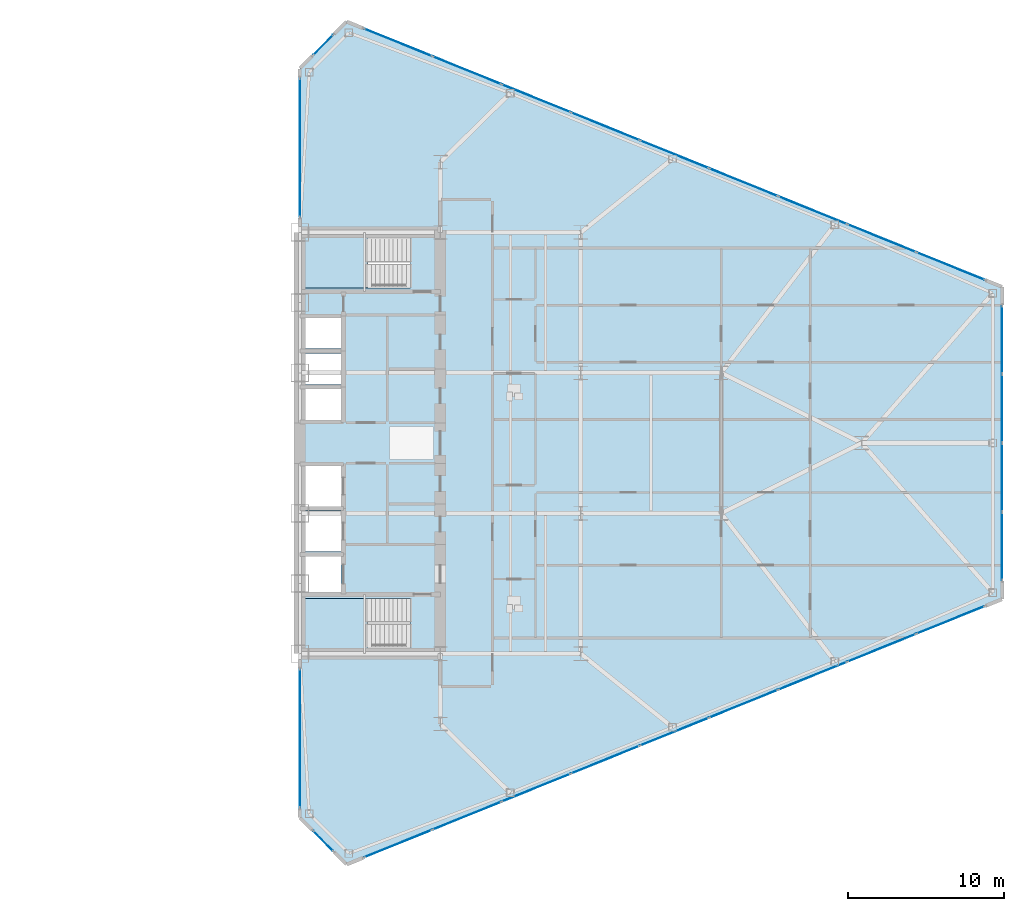
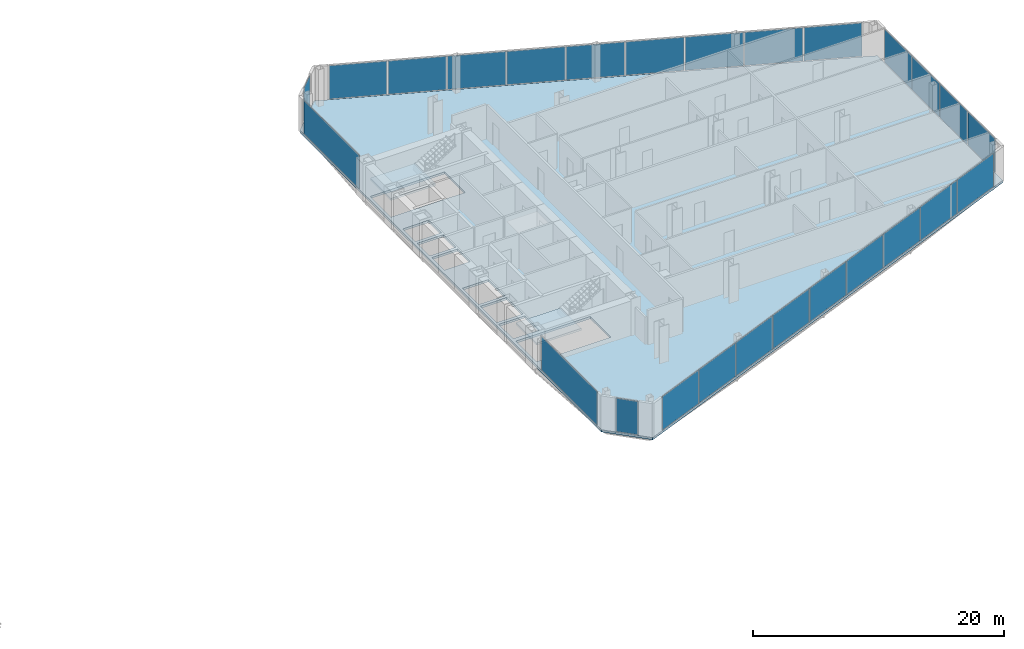
# One storey, part 16 of 25: 26 plates, 3 slabs, 9 elements without a shape of their own.
"""IFC4 building model written with IfcOpenShell, lengths in metres."""

from ifc_helpers import new_model, si_unit, direction, frame, origin, origin_2d, place, context, subcontext, project, spatial, polyline, rectangle, outline, extrude, source, transform, mapped, material, layer, layer_set, type_object, type_shapes, element, aggregate, save


model = new_model("IFC4")

# Units and contexts
model_context = context("Model", 3, precision=1e-05, world=origin(), true_north=direction((0.0, 1.0)))
body_context = subcontext(model_context, "Body", "Model", "MODEL_VIEW")
ifc_project = project(units=[si_unit("LENGTHUNIT", "METRE"), si_unit("AREAUNIT", "SQUARE_METRE"), si_unit("VOLUMEUNIT", "CUBIC_METRE"), si_unit("PLANEANGLEUNIT", "RADIAN"), si_unit("MASSUNIT", "GRAM", prefix="KILO")], contexts=[model_context])

# Site, building, storey
site_placement = place(None, origin())
site = spatial("IfcSite", under=ifc_project, at=site_placement, CompositionType="ELEMENT")
building_placement = place(site_placement, origin())
building = spatial("IfcBuilding", under=site, at=building_placement, Name="Seokmaru Belvedere", CompositionType="ELEMENT")
storey_placement = place(building_placement, frame((0.0, 0.0, 51.300048828125)))
storey = spatial("IfcBuildingStorey", under=building, at=storey_placement, Name="L13", CompositionType="ELEMENT", Elevation=51.300048828125)

# Stair, slab
ifc_material_1 = material(Name="Concrete C40 (40 MPa)", Category="concrete")
stair_type = type_object("IfcStairType", Name="Typical Tower Core Dog-Leg Stair 3600", PredefinedType="TWO_STRAIGHT_RUN_STAIR", material=ifc_material_1)
stair_1_placement = place(storey_placement, origin())
stair_1 = element("IfcStair", 1, at=stair_1_placement, inside=storey, type_object=stair_type, Name="L13 Special Escape Stair ST-E1", PredefinedType="TWO_STRAIGHT_RUN_STAIR")
ifc_layer_1 = layer(ifc_material_1, 0.199951171875)
ifc_layer_set_1 = layer_set([ifc_layer_1], Name="Concrete C40 (40 MPa)")
slab_type_1 = type_object("IfcSlabType", Name="Reinforced Concrete Stair Landing Slab 200", PredefinedType="LANDING", material=ifc_layer_set_1)
slab_1_placement = place(storey_placement, frame((0.0, 0.0, 1.599853515625)))
slab_1 = element("IfcSlab", 2, at=slab_1_placement, type_object=slab_type_1, Name="ST-E1 landing 1", PredefinedType="LANDING", context=body_context, shape_type="SweptSolid", body=[
    extrude(outline(polyline([(27.760009765625, -13.239990234375), (31.8798828125, -13.239990234375), (31.8798828125, -9.949951171875), (27.760009765625, -9.949951171875), (27.760009765625, -13.239990234375)])), origin(), (0.0, 0.0, 1.0), 0.2001953125),
])
aggregate(stair_1, [slab_1])

stair_2_placement = place(storey_placement, origin())
stair_2 = element("IfcStair", 3, at=stair_2_placement, inside=storey, type_object=stair_type, Name="L13 Special Escape Stair ST-E2", PredefinedType="TWO_STRAIGHT_RUN_STAIR")
slab_2_placement = place(storey_placement, frame((0.0, 0.0, 1.599853515625)))
slab_2 = element("IfcSlab", 4, at=slab_2_placement, type_object=slab_type_1, Name="ST-E2 landing 1", PredefinedType="LANDING", context=body_context, shape_type="SweptSolid", body=[
    extrude(outline(polyline([(27.760009765625, 9.949951171875), (31.8798828125, 9.949951171875), (31.8798828125, 13.239990234375), (27.760009765625, 13.239990234375), (27.760009765625, 9.949951171875)])), origin(), (0.0, 0.0, 1.0), 0.2001953125),
])
aggregate(stair_2, [slab_2])

# Slab
ifc_layer_2 = layer(ifc_material_1, 0.219970703125)
ifc_layer_set_2 = layer_set([ifc_layer_2], Name="Concrete C40 (40 MPa)")
slab_type_2 = type_object("IfcSlabType", Name="Typical Tower Composite Floor Slab 220", PredefinedType="FLOOR", material=ifc_layer_set_2)
slab_3_placement = place(storey_placement, frame((0.0, 0.0, -0.219970703125)))
element("IfcSlab", 5, at=slab_3_placement, inside=storey, type_object=slab_type_2, Name="L13 East Leg Floor Slab", PredefinedType="FLOOR", context=body_context, shape_type="SweptSolid", body=[
    extrude(outline(polyline([(30.5, -27.0), (72.5, -10.0), (72.5, 10.0), (30.5, 27.0), (27.5, 24.0), (27.5, -24.0), (30.5, -27.0)]), holes=[polyline([(27.75, -13.25), (34.60009765625, -13.25), (34.60009765625, -9.949951171875), (27.75, -9.949951171875), (27.75, -13.25)]), polyline([(27.75, 9.949951171875), (34.60009765625, 9.949951171875), (34.60009765625, 13.25), (27.75, 13.25), (27.75, 9.949951171875)]), polyline([(27.75, -9.550048828125), (30.14990234375, -9.550048828125), (30.14990234375, -7.25), (27.75, -7.25), (27.75, -9.550048828125)]), polyline([(27.75, -6.949951171875), (30.14990234375, -6.949951171875), (30.14990234375, -4.35009765625), (27.75, -4.35009765625), (27.75, -6.949951171875)]), polyline([(27.75, -4.050048828125), (30.14990234375, -4.050048828125), (30.14990234375, -1.449951171875), (27.75, -1.449951171875), (27.75, -4.050048828125)]), polyline([(27.75, 1.449951171875), (30.14990234375, 1.449951171875), (30.14990234375, 3.449951171875), (27.75, 3.449951171875), (27.75, 1.449951171875)]), polyline([(27.75, 3.75), (30.14990234375, 3.75), (30.14990234375, 5.75), (27.75, 5.75), (27.75, 3.75)]), polyline([(27.75, 6.050048828125), (30.14990234375, 6.050048828125), (30.14990234375, 8.050048828125), (27.75, 8.050048828125), (27.75, 6.050048828125)])]), origin(), (0.0, 0.0, 1.0), 0.219970703125),
])

# Curtain wall, plate
ifc_material_2 = material(Name="Bronze Triple Insulating Glass", Category="glass")
ifc_layer_3 = layer(ifc_material_2, 0.2099609375)
ifc_layer_set_3 = layer_set([ifc_layer_3], Name="Bronze Triple Insulating Glass")
curtain_wall_type = type_object("IfcCurtainWallType", Name="Low-Rise Faceted Crystal Curtain Wall System CW-2", PredefinedType="NOTDEFINED", material=ifc_layer_set_3)
curtain_wall_1_placement = place(storey_placement, origin())
curtain_wall_1 = element("IfcCurtainWall", 6, at=curtain_wall_1_placement, inside=storey, type_object=curtain_wall_type, Name="L13 Curtain Wall ESP_1", PredefinedType="NOTDEFINED")
ifc_layer_4 = layer(ifc_material_2, 0.035888671875)
ifc_layer_set_4 = layer_set([ifc_layer_4], Name="Bronze Triple Insulating Glass")
plate_type = type_object("IfcPlateType", Name="Bronze Triple Vision Glazing Panel 36", PredefinedType="CURTAIN_PANEL", material=ifc_layer_set_4)
shared_shape_1 = source(origin(), body_context, "Body", "SweptSolid", [
    extrude(rectangle(XDim=8.85009765625, YDim=0.035888671875, at=origin_2d()), origin(), (0.0, 0.0, 1.0), 3.239990234375),
])
plate_1_placement = place(storey_placement, frame((27.5, -18.929931640625, 0.06982421875), z_axis=(0.0, 0.0, 1.0), x_axis=(0.0, -1.0, 0.0)))
plate_1 = element("IfcPlate", 7, at=plate_1_placement, type_object=plate_type, Name="CW:L13:ESP_1 Glazing Panel 1-1", PredefinedType="CURTAIN_PANEL", context=body_context, shape_type="MappedRepresentation", body=[
    mapped(shared_shape_1, transform((0.0, 0.0, 0.0), scale=1.0)),
])
aggregate(curtain_wall_1, [plate_1])

curtain_wall_2_placement = place(storey_placement, origin())
curtain_wall_2 = element("IfcCurtainWall", 8, at=curtain_wall_2_placement, inside=storey, type_object=curtain_wall_type, Name="L13 Curtain Wall ESP_2", PredefinedType="NOTDEFINED")
plate_2_placement = place(storey_placement, frame((27.5, 18.929931640625, 0.06982421875), z_axis=(0.0, 0.0, 1.0), x_axis=(0.0, -1.0, 0.0)))
plate_2 = element("IfcPlate", 9, at=plate_2_placement, type_object=plate_type, Name="CW:L13:ESP_2 Glazing Panel 1-1", PredefinedType="CURTAIN_PANEL", context=body_context, shape_type="MappedRepresentation", body=[
    mapped(shared_shape_1, transform((0.0, 0.0, 0.0), scale=1.0)),
])
aggregate(curtain_wall_2, [plate_2])

curtain_wall_3_placement = place(storey_placement, origin())
curtain_wall_3 = element("IfcCurtainWall", 10, at=curtain_wall_3_placement, inside=storey, type_object=curtain_wall_type, Name="L13 Curtain Wall EF4", PredefinedType="NOTDEFINED")
shared_shape_2 = source(origin(), body_context, "Body", "SweptSolid", [
    extrude(rectangle(XDim=1.79248046875, YDim=0.035888671875, at=origin_2d()), origin(), (0.0, 0.0, 1.0), 3.239990234375),
])
plate_3_placement = place(storey_placement, frame((29.0, 25.5, 0.06982421875), z_axis=(0.0, 0.0, 1.0), x_axis=(-0.707106781187, -0.707106781187, 0.0)))
plate_3 = element("IfcPlate", 11, at=plate_3_placement, type_object=plate_type, Name="CW:L13:EF4 Glazing Panel 1-1", PredefinedType="CURTAIN_PANEL", context=body_context, shape_type="MappedRepresentation", body=[
    mapped(shared_shape_2, transform((0.0, 0.0, 0.0), scale=1.0)),
])
aggregate(curtain_wall_3, [plate_3])

curtain_wall_4_placement = place(storey_placement, origin())
curtain_wall_4 = element("IfcCurtainWall", 12, at=curtain_wall_4_placement, inside=storey, type_object=curtain_wall_type, Name="L13 Curtain Wall EF6", PredefinedType="NOTDEFINED")
plate_4_placement = place(storey_placement, frame((29.0, -25.5, 0.06982421875), z_axis=(0.0, 0.0, 1.0), x_axis=(0.707106781187, -0.707106781187, 0.0)))
plate_4 = element("IfcPlate", 13, at=plate_4_placement, type_object=plate_type, Name="CW:L13:EF6 Glazing Panel 1-1", PredefinedType="CURTAIN_PANEL", context=body_context, shape_type="MappedRepresentation", body=[
    mapped(shared_shape_2, transform((0.0, 0.0, 0.0), scale=1.0)),
])
aggregate(curtain_wall_4, [plate_4])

# Curtain wall, plates
curtain_wall_5_placement = place(storey_placement, origin())
curtain_wall_5 = element("IfcCurtainWall", 14, at=curtain_wall_5_placement, inside=storey, type_object=curtain_wall_type, Name="L13 Curtain Wall EF1", PredefinedType="NOTDEFINED")
shared_shape_3 = source(origin(), body_context, "Body", "SweptSolid", [
    extrude(rectangle(XDim=4.66650390625, YDim=0.035888671875, at=origin_2d()), origin(), (0.0, 0.0, 1.0), 3.239990234375),
])
plate_5_placement = place(storey_placement, frame((33.79833984375, -25.6650390625, 0.06982421875), z_axis=(0.0, 0.0, 1.0), x_axis=(0.926946989637, 0.375192321888, 0.0)))
plate_5 = element("IfcPlate", 15, at=plate_5_placement, type_object=plate_type, Name="CW:L13:EF1 Glazing Panel 1-1", PredefinedType="CURTAIN_PANEL", context=body_context, shape_type="MappedRepresentation", body=[
    mapped(shared_shape_3, transform((0.0, 0.0, 0.0), scale=1.0)),
])
plate_6_placement = place(storey_placement, frame((69.20166015625, -11.3349609375, 0.06982421875), z_axis=(0.0, 0.0, 1.0), x_axis=(0.926946989637, 0.375192321888, 0.0)))
plate_6 = element("IfcPlate", 16, at=plate_6_placement, type_object=plate_type, Name="CW:L13:EF1 Glazing Panel 9-1", PredefinedType="CURTAIN_PANEL", context=body_context, shape_type="MappedRepresentation", body=[
    mapped(shared_shape_3, transform((0.0, 0.0, 0.0), scale=1.0)),
])

curtain_wall_6_placement = place(storey_placement, origin())
curtain_wall_6 = element("IfcCurtainWall", 17, at=curtain_wall_6_placement, inside=storey, type_object=curtain_wall_type, Name="L13 Curtain Wall EF3", PredefinedType="NOTDEFINED")
plate_7_placement = place(storey_placement, frame((69.20166015625, 11.3349609375, 0.06982421875), z_axis=(0.0, 0.0, 1.0), x_axis=(-0.926946989637, 0.375192321888, 0.0)))
plate_7 = element("IfcPlate", 18, at=plate_7_placement, type_object=plate_type, Name="CW:L13:EF3 Glazing Panel 1-1", PredefinedType="CURTAIN_PANEL", context=body_context, shape_type="MappedRepresentation", body=[
    mapped(shared_shape_3, transform((0.0, 0.0, 0.0), scale=1.0)),
])
plate_8_placement = place(storey_placement, frame((33.79833984375, 25.6650390625, 0.06982421875), z_axis=(0.0, 0.0, 1.0), x_axis=(-0.926946989637, 0.375192321888, 0.0)))
plate_8 = element("IfcPlate", 19, at=plate_8_placement, type_object=plate_type, Name="CW:L13:EF3 Glazing Panel 9-1", PredefinedType="CURTAIN_PANEL", context=body_context, shape_type="MappedRepresentation", body=[
    mapped(shared_shape_3, transform((0.0, 0.0, 0.0), scale=1.0)),
])

# Plate
shared_shape_4 = source(origin(), body_context, "Body", "SweptSolid", [
    extrude(rectangle(XDim=4.703857421875, YDim=0.035888671875, at=origin_2d()), origin(), (0.0, 0.0, 1.0), 3.239990234375),
])
plate_9_placement = place(storey_placement, frame((38.210693359375, -23.87890625, 0.06982421875), z_axis=(0.0, 0.0, 1.0), x_axis=(0.926946989637, 0.375192321888, 0.0)))
plate_9 = element("IfcPlate", 20, at=plate_9_placement, type_object=plate_type, Name="CW:L13:EF1 Glazing Panel 2-1", PredefinedType="CURTAIN_PANEL", context=body_context, shape_type="MappedRepresentation", body=[
    mapped(shared_shape_4, transform((0.0, 0.0, 0.0), scale=1.0)),
])

plate_10_placement = place(storey_placement, frame((42.640380859375, -22.0859375, 0.06982421875), z_axis=(0.0, 0.0, 1.0), x_axis=(0.926946989637, 0.375192321888, 0.0)))
plate_10 = element("IfcPlate", 21, at=plate_10_placement, type_object=plate_type, Name="CW:L13:EF1 Glazing Panel 3-1", PredefinedType="CURTAIN_PANEL", context=body_context, shape_type="MappedRepresentation", body=[
    mapped(shared_shape_4, transform((0.0, 0.0, 0.0), scale=1.0)),
])

plate_11_placement = place(storey_placement, frame((47.0703125, -20.29296875, 0.06982421875), z_axis=(0.0, 0.0, 1.0), x_axis=(0.926946989637, 0.375192321888, 0.0)))
plate_11 = element("IfcPlate", 22, at=plate_11_placement, type_object=plate_type, Name="CW:L13:EF1 Glazing Panel 4-1", PredefinedType="CURTAIN_PANEL", context=body_context, shape_type="MappedRepresentation", body=[
    mapped(shared_shape_4, transform((0.0, 0.0, 0.0), scale=1.0)),
])

plate_12_placement = place(storey_placement, frame((51.5, -18.5, 0.06982421875), z_axis=(0.0, 0.0, 1.0), x_axis=(0.926946989637, 0.375192321888, 0.0)))
plate_12 = element("IfcPlate", 23, at=plate_12_placement, type_object=plate_type, Name="CW:L13:EF1 Glazing Panel 5-1", PredefinedType="CURTAIN_PANEL", context=body_context, shape_type="MappedRepresentation", body=[
    mapped(shared_shape_4, transform((0.0, 0.0, 0.0), scale=1.0)),
])

plate_13_placement = place(storey_placement, frame((55.9296875, -16.70703125, 0.06982421875), z_axis=(0.0, 0.0, 1.0), x_axis=(0.926946989637, 0.375192321888, 0.0)))
plate_13 = element("IfcPlate", 24, at=plate_13_placement, type_object=plate_type, Name="CW:L13:EF1 Glazing Panel 6-1", PredefinedType="CURTAIN_PANEL", context=body_context, shape_type="MappedRepresentation", body=[
    mapped(shared_shape_4, transform((0.0, 0.0, 0.0), scale=1.0)),
])

plate_14_placement = place(storey_placement, frame((60.359619140625, -14.9140625, 0.06982421875), z_axis=(0.0, 0.0, 1.0), x_axis=(0.926946989637, 0.375192321888, 0.0)))
plate_14 = element("IfcPlate", 25, at=plate_14_placement, type_object=plate_type, Name="CW:L13:EF1 Glazing Panel 7-1", PredefinedType="CURTAIN_PANEL", context=body_context, shape_type="MappedRepresentation", body=[
    mapped(shared_shape_4, transform((0.0, 0.0, 0.0), scale=1.0)),
])

plate_15_placement = place(storey_placement, frame((64.789306640625, -13.12109375, 0.06982421875), z_axis=(0.0, 0.0, 1.0), x_axis=(0.926946989637, 0.375192321888, 0.0)))
plate_15 = element("IfcPlate", 26, at=plate_15_placement, type_object=plate_type, Name="CW:L13:EF1 Glazing Panel 8-1", PredefinedType="CURTAIN_PANEL", context=body_context, shape_type="MappedRepresentation", body=[
    mapped(shared_shape_4, transform((0.0, 0.0, 0.0), scale=1.0)),
])

aggregate(curtain_wall_5, [plate_5, plate_9, plate_10, plate_11, plate_12, plate_13, plate_14, plate_15, plate_6])

plate_16_placement = place(storey_placement, frame((64.789306640625, 13.12109375, 0.06982421875), z_axis=(0.0, 0.0, 1.0), x_axis=(-0.926946989637, 0.375192321888, 0.0)))
plate_16 = element("IfcPlate", 27, at=plate_16_placement, type_object=plate_type, Name="CW:L13:EF3 Glazing Panel 2-1", PredefinedType="CURTAIN_PANEL", context=body_context, shape_type="MappedRepresentation", body=[
    mapped(shared_shape_4, transform((0.0, 0.0, 0.0), scale=1.0)),
])

plate_17_placement = place(storey_placement, frame((60.359619140625, 14.9140625, 0.06982421875), z_axis=(0.0, 0.0, 1.0), x_axis=(-0.926946989637, 0.375192321888, 0.0)))
plate_17 = element("IfcPlate", 28, at=plate_17_placement, type_object=plate_type, Name="CW:L13:EF3 Glazing Panel 3-1", PredefinedType="CURTAIN_PANEL", context=body_context, shape_type="MappedRepresentation", body=[
    mapped(shared_shape_4, transform((0.0, 0.0, 0.0), scale=1.0)),
])

plate_18_placement = place(storey_placement, frame((55.9296875, 16.70703125, 0.06982421875), z_axis=(0.0, 0.0, 1.0), x_axis=(-0.926946989637, 0.375192321888, 0.0)))
plate_18 = element("IfcPlate", 29, at=plate_18_placement, type_object=plate_type, Name="CW:L13:EF3 Glazing Panel 4-1", PredefinedType="CURTAIN_PANEL", context=body_context, shape_type="MappedRepresentation", body=[
    mapped(shared_shape_4, transform((0.0, 0.0, 0.0), scale=1.0)),
])

plate_19_placement = place(storey_placement, frame((51.5, 18.5, 0.06982421875), z_axis=(0.0, 0.0, 1.0), x_axis=(-0.926946989637, 0.375192321888, 0.0)))
plate_19 = element("IfcPlate", 30, at=plate_19_placement, type_object=plate_type, Name="CW:L13:EF3 Glazing Panel 5-1", PredefinedType="CURTAIN_PANEL", context=body_context, shape_type="MappedRepresentation", body=[
    mapped(shared_shape_4, transform((0.0, 0.0, 0.0), scale=1.0)),
])

plate_20_placement = place(storey_placement, frame((47.0703125, 20.29296875, 0.06982421875), z_axis=(0.0, 0.0, 1.0), x_axis=(-0.926946989637, 0.375192321888, 0.0)))
plate_20 = element("IfcPlate", 31, at=plate_20_placement, type_object=plate_type, Name="CW:L13:EF3 Glazing Panel 6-1", PredefinedType="CURTAIN_PANEL", context=body_context, shape_type="MappedRepresentation", body=[
    mapped(shared_shape_4, transform((0.0, 0.0, 0.0), scale=1.0)),
])

plate_21_placement = place(storey_placement, frame((42.640380859375, 22.0859375, 0.06982421875), z_axis=(0.0, 0.0, 1.0), x_axis=(-0.926946989637, 0.375192321888, 0.0)))
plate_21 = element("IfcPlate", 32, at=plate_21_placement, type_object=plate_type, Name="CW:L13:EF3 Glazing Panel 7-1", PredefinedType="CURTAIN_PANEL", context=body_context, shape_type="MappedRepresentation", body=[
    mapped(shared_shape_4, transform((0.0, 0.0, 0.0), scale=1.0)),
])

plate_22_placement = place(storey_placement, frame((38.210693359375, 23.87890625, 0.06982421875), z_axis=(0.0, 0.0, 1.0), x_axis=(-0.926946989637, 0.375192321888, 0.0)))
plate_22 = element("IfcPlate", 33, at=plate_22_placement, type_object=plate_type, Name="CW:L13:EF3 Glazing Panel 8-1", PredefinedType="CURTAIN_PANEL", context=body_context, shape_type="MappedRepresentation", body=[
    mapped(shared_shape_4, transform((0.0, 0.0, 0.0), scale=1.0)),
])

aggregate(curtain_wall_6, [plate_7, plate_16, plate_17, plate_18, plate_19, plate_20, plate_21, plate_22, plate_8])

# Curtain wall, plates
curtain_wall_7_placement = place(storey_placement, origin())
curtain_wall_7 = element("IfcCurtainWall", 34, at=curtain_wall_7_placement, inside=storey, type_object=curtain_wall_type, Name="L13 Curtain Wall EF2", PredefinedType="NOTDEFINED")
shared_shape_5 = source(origin(), body_context, "Body", "SweptSolid", [
    extrude(rectangle(XDim=4.3125, YDim=0.035888671875, at=origin_2d()), origin(), (0.0, 0.0, 1.0), 3.239990234375),
])
plate_23_placement = place(storey_placement, frame((72.5, -6.61865234375, 0.06982421875), z_axis=(0.0, 0.0, 1.0), x_axis=(0.0, 1.0, 0.0)))
plate_23 = element("IfcPlate", 35, at=plate_23_placement, type_object=plate_type, Name="CW:L13:EF2 Glazing Panel 1-1", PredefinedType="CURTAIN_PANEL", context=body_context, shape_type="MappedRepresentation", body=[
    mapped(shared_shape_5, transform((0.0, 0.0, 0.0), scale=1.0)),
])
plate_24_placement = place(storey_placement, frame((72.5, 6.61865234375, 0.06982421875), z_axis=(0.0, 0.0, 1.0), x_axis=(0.0, 1.0, 0.0)))
plate_24 = element("IfcPlate", 36, at=plate_24_placement, type_object=plate_type, Name="CW:L13:EF2 Glazing Panel 4-1", PredefinedType="CURTAIN_PANEL", context=body_context, shape_type="MappedRepresentation", body=[
    mapped(shared_shape_5, transform((0.0, 0.0, 0.0), scale=1.0)),
])
shared_shape_6 = source(origin(), body_context, "Body", "SweptSolid", [
    extrude(rectangle(XDim=4.35009765625, YDim=0.035888671875, at=origin_2d()), origin(), (0.0, 0.0, 1.0), 3.239990234375),
])
type_shapes(plate_type, [shared_shape_1, shared_shape_2, shared_shape_3, shared_shape_4, shared_shape_5, shared_shape_6])
plate_25_placement = place(storey_placement, frame((72.5, -2.21240234375, 0.06982421875), z_axis=(0.0, 0.0, 1.0), x_axis=(0.0, 1.0, 0.0)))
plate_25 = element("IfcPlate", 37, at=plate_25_placement, type_object=plate_type, Name="CW:L13:EF2 Glazing Panel 2-1", PredefinedType="CURTAIN_PANEL", context=body_context, shape_type="MappedRepresentation", body=[
    mapped(shared_shape_6, transform((0.0, 0.0, 0.0), scale=1.0)),
])
plate_26_placement = place(storey_placement, frame((72.5, 2.21240234375, 0.06982421875), z_axis=(0.0, 0.0, 1.0), x_axis=(0.0, 1.0, 0.0)))
plate_26 = element("IfcPlate", 38, at=plate_26_placement, type_object=plate_type, Name="CW:L13:EF2 Glazing Panel 3-1", PredefinedType="CURTAIN_PANEL", context=body_context, shape_type="MappedRepresentation", body=[
    mapped(shared_shape_6, transform((0.0, 0.0, 0.0), scale=1.0)),
])
aggregate(curtain_wall_7, [plate_23, plate_25, plate_26, plate_24])

save(model, "model.ifc")
